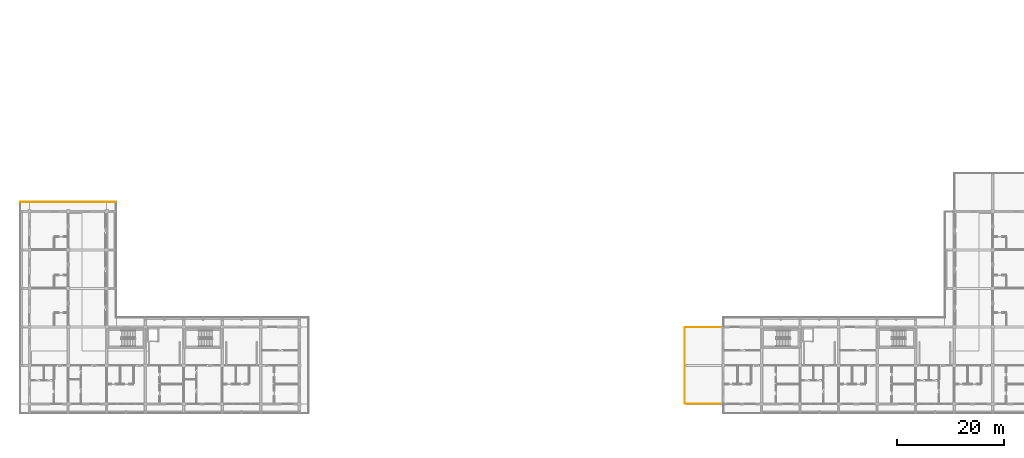
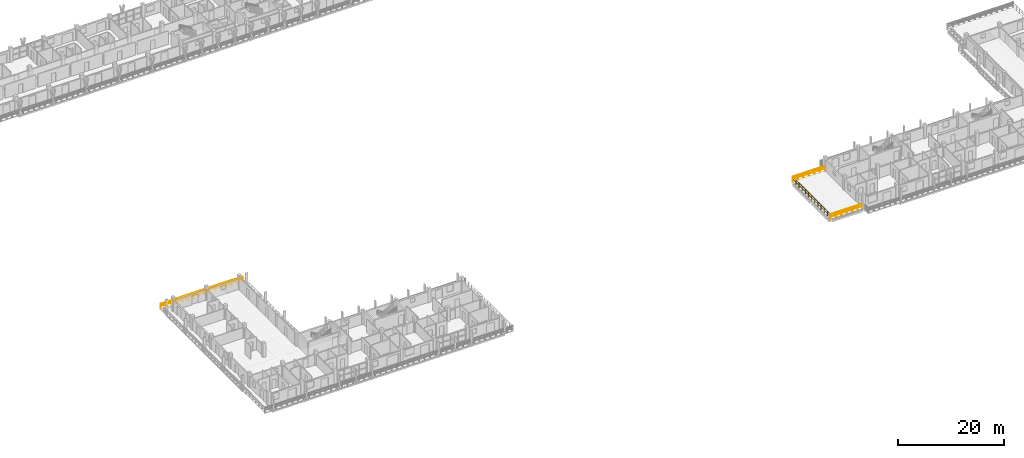
# One storey, part 63 of 75: 4 railings.
"""IFC4 building model written with IfcOpenShell, lengths in metres."""

from ifc_helpers import new_model, si_unit, direction, frame, origin, origin_2d, place, context, subcontext, project, spatial, rectangle, extrude, material, type_object, element, save


model = new_model("IFC4")

# Units and contexts
model_context = context("Model", 3, precision=1e-05, world=origin(), true_north=direction((0.0, 1.0)))
body_context = subcontext(model_context, "Body", "Model", "MODEL_VIEW")
ifc_project = project(units=[si_unit("LENGTHUNIT", "METRE"), si_unit("AREAUNIT", "SQUARE_METRE"), si_unit("VOLUMEUNIT", "CUBIC_METRE"), si_unit("PLANEANGLEUNIT", "RADIAN"), si_unit("MASSUNIT", "GRAM", prefix="KILO")], contexts=[model_context])

# Site, building, storey
site_placement = place(None, origin())
site = spatial("IfcSite", under=ifc_project, at=site_placement, CompositionType="ELEMENT")
building_placement = place(site_placement, origin())
building = spatial("IfcBuilding", under=site, at=building_placement, Name="Suanplinth Sawtooth Commons", CompositionType="ELEMENT")
storey_placement = place(building_placement, frame((0.0, 0.0, 18.60009765625)))
storey = spatial("IfcBuildingStorey", under=building, at=storey_placement, Name="L05", CompositionType="ELEMENT", Elevation=18.60009765625)

# Railings
ifc_material = material(Name="Powder-coated galvanized steel", Category="steel")
railing_type = type_object("IfcRailingType", Name="GR-01", PredefinedType="BALUSTRADE", material=ifc_material)
railing_1_placement = place(storey_placement, frame((129.580078125, 0.06005859375, 0.0)))
element("IfcRailing", 1, at=railing_1_placement, inside=storey, type_object=railing_type, Name="L05 Block C Perimeter Balustrade 2", PredefinedType="BALUSTRADE", context=body_context, shape_type="SweptSolid", body=[
    extrude(rectangle(XDim=0.048095703125, YDim=0.048095703125, at=origin_2d()), frame((0.0, 0.0, 1.09619140625), z_axis=(-1.0, 0.0, 0.0), x_axis=(0.0, -1.0, 0.0)), (0.0, 0.0, 1.0), 7.1201171875),
    extrude(rectangle(XDim=0.03369140625, YDim=0.03369140625, at=origin_2d()), frame((0.0, 0.0, 0.56005859375), z_axis=(-1.0, 0.0, 0.0), x_axis=(0.0, -1.0, 0.0)), (0.0, 0.0, 1.0), 7.1201171875),
    extrude(rectangle(XDim=0.0419921875, YDim=0.0419921875, at=origin_2d()), origin(), (0.0, 0.0, 1.0), 1.072021484375),
    extrude(rectangle(XDim=0.0419921875, YDim=0.0419921875, at=origin_2d()), frame((-1.186767578125, 0.0, 0.0)), (0.0, 0.0, 1.0), 1.072021484375),
    extrude(rectangle(XDim=0.0419921875, YDim=0.0419921875, at=origin_2d()), frame((-2.373291015625, 0.0, 0.0)), (0.0, 0.0, 1.0), 1.072021484375),
    extrude(rectangle(XDim=0.0419921875, YDim=0.0419921875, at=origin_2d()), frame((-3.56005859375, 0.0, 0.0)), (0.0, 0.0, 1.0), 1.072021484375),
    extrude(rectangle(XDim=0.0419921875, YDim=0.0419921875, at=origin_2d()), frame((-4.746826171875, 0.0, 0.0)), (0.0, 0.0, 1.0), 1.072021484375),
    extrude(rectangle(XDim=0.0419921875, YDim=0.0419921875, at=origin_2d()), frame((-5.933349609375, 0.0, 0.0)), (0.0, 0.0, 1.0), 1.072021484375),
    extrude(rectangle(XDim=0.0419921875, YDim=0.0419921875, at=origin_2d()), frame((-7.1201171875, 0.0, 0.0)), (0.0, 0.0, 1.0), 1.072021484375),
])
railing_2_placement = place(storey_placement, frame((122.4599609375, 0.06005859375, 0.0)))
element("IfcRailing", 2, at=railing_2_placement, inside=storey, type_object=railing_type, Name="L05 Block C Perimeter Balustrade 3", PredefinedType="BALUSTRADE", context=body_context, shape_type="SweptSolid", body=[
    extrude(rectangle(XDim=0.048095703125, YDim=0.048095703125, at=origin_2d()), frame((0.0, 0.0, 1.09619140625), z_axis=(0.0, 1.0, 0.0), x_axis=(-1.0, 0.0, 0.0)), (0.0, 0.0, 1.0), 14.280029296875),
    extrude(rectangle(XDim=0.03369140625, YDim=0.03369140625, at=origin_2d()), frame((0.0, 0.0, 0.56005859375), z_axis=(0.0, 1.0, 0.0), x_axis=(-1.0, 0.0, 0.0)), (0.0, 0.0, 1.0), 14.280029296875),
    extrude(rectangle(XDim=0.0419921875, YDim=0.0419921875, at=origin_2d()), origin(), (0.0, 0.0, 1.0), 1.072021484375),
    extrude(rectangle(XDim=0.0419921875, YDim=0.0419921875, at=origin_2d()), frame((0.0, 1.18994140625, 0.0)), (0.0, 0.0, 1.0), 1.072021484375),
    extrude(rectangle(XDim=0.0419921875, YDim=0.0419921875, at=origin_2d()), frame((0.0, 2.3798828125, 0.0)), (0.0, 0.0, 1.0), 1.072021484375),
    extrude(rectangle(XDim=0.0419921875, YDim=0.0419921875, at=origin_2d()), frame((0.0, 3.570068359375, 0.0)), (0.0, 0.0, 1.0), 1.072021484375),
    extrude(rectangle(XDim=0.0419921875, YDim=0.0419921875, at=origin_2d()), frame((0.0, 4.760009765625, 0.0)), (0.0, 0.0, 1.0), 1.072021484375),
    extrude(rectangle(XDim=0.0419921875, YDim=0.0419921875, at=origin_2d()), frame((0.0, 5.949951171875, 0.0)), (0.0, 0.0, 1.0), 1.072021484375),
    extrude(rectangle(XDim=0.0419921875, YDim=0.0419921875, at=origin_2d()), frame((0.0, 7.14013671875, 0.0)), (0.0, 0.0, 1.0), 1.072021484375),
    extrude(rectangle(XDim=0.0419921875, YDim=0.0419921875, at=origin_2d()), frame((0.0, 8.330078125, 0.0)), (0.0, 0.0, 1.0), 1.072021484375),
    extrude(rectangle(XDim=0.0419921875, YDim=0.0419921875, at=origin_2d()), frame((0.0, 9.52001953125, 0.0)), (0.0, 0.0, 1.0), 1.072021484375),
    extrude(rectangle(XDim=0.0419921875, YDim=0.0419921875, at=origin_2d()), frame((0.0, 10.7099609375, 0.0)), (0.0, 0.0, 1.0), 1.072021484375),
    extrude(rectangle(XDim=0.0419921875, YDim=0.0419921875, at=origin_2d()), frame((0.0, 11.89990234375, 0.0)), (0.0, 0.0, 1.0), 1.072021484375),
    extrude(rectangle(XDim=0.0419921875, YDim=0.0419921875, at=origin_2d()), frame((0.0, 13.090087890625, 0.0)), (0.0, 0.0, 1.0), 1.072021484375),
    extrude(rectangle(XDim=0.0419921875, YDim=0.0419921875, at=origin_2d()), frame((0.0, 14.280029296875, 0.0)), (0.0, 0.0, 1.0), 1.072021484375),
])
railing_3_placement = place(storey_placement, frame((122.4599609375, 14.340087890625, 0.0)))
element("IfcRailing", 3, at=railing_3_placement, inside=storey, type_object=railing_type, Name="L05 Block C Perimeter Balustrade 4", PredefinedType="BALUSTRADE", context=body_context, shape_type="SweptSolid", body=[
    extrude(rectangle(XDim=0.048095703125, YDim=0.048095703125, at=origin_2d()), frame((0.0, 0.0, 1.09619140625), z_axis=(1.0, 0.0, 0.0), x_axis=(0.0, 1.0, 0.0)), (0.0, 0.0, 1.0), 7.1201171875),
    extrude(rectangle(XDim=0.03369140625, YDim=0.03369140625, at=origin_2d()), frame((0.0, 0.0, 0.56005859375), z_axis=(1.0, 0.0, 0.0), x_axis=(0.0, 1.0, 0.0)), (0.0, 0.0, 1.0), 7.1201171875),
    extrude(rectangle(XDim=0.0419921875, YDim=0.0419921875, at=origin_2d()), origin(), (0.0, 0.0, 1.0), 1.072021484375),
    extrude(rectangle(XDim=0.0419921875, YDim=0.0419921875, at=origin_2d()), frame((1.186767578125, 0.0, 0.0)), (0.0, 0.0, 1.0), 1.072021484375),
    extrude(rectangle(XDim=0.0419921875, YDim=0.0419921875, at=origin_2d()), frame((2.373291015625, 0.0, 0.0)), (0.0, 0.0, 1.0), 1.072021484375),
    extrude(rectangle(XDim=0.0419921875, YDim=0.0419921875, at=origin_2d()), frame((3.56005859375, 0.0, 0.0)), (0.0, 0.0, 1.0), 1.072021484375),
    extrude(rectangle(XDim=0.0419921875, YDim=0.0419921875, at=origin_2d()), frame((4.746826171875, 0.0, 0.0)), (0.0, 0.0, 1.0), 1.072021484375),
    extrude(rectangle(XDim=0.0419921875, YDim=0.0419921875, at=origin_2d()), frame((5.933349609375, 0.0, 0.0)), (0.0, 0.0, 1.0), 1.072021484375),
    extrude(rectangle(XDim=0.0419921875, YDim=0.0419921875, at=origin_2d()), frame((7.1201171875, 0.0, 0.0)), (0.0, 0.0, 1.0), 1.072021484375),
])
railing_4_placement = place(storey_placement, frame((-1.739990234375, 37.739990234375, 0.0)))
element("IfcRailing", 4, at=railing_4_placement, inside=storey, type_object=railing_type, Name="L05 Block D Perimeter Balustrade 2", PredefinedType="BALUSTRADE", context=body_context, shape_type="SweptSolid", body=[
    extrude(rectangle(XDim=0.048095703125, YDim=0.048095703125, at=origin_2d()), frame((0.0, 0.0, 1.09619140625), z_axis=(1.0, 0.0, 0.0), x_axis=(0.0, 1.0, 0.0)), (0.0, 0.0, 1.0), 17.8798828125),
    extrude(rectangle(XDim=0.03369140625, YDim=0.03369140625, at=origin_2d()), frame((0.0, 0.0, 0.56005859375), z_axis=(1.0, 0.0, 0.0), x_axis=(0.0, 1.0, 0.0)), (0.0, 0.0, 1.0), 17.8798828125),
    extrude(rectangle(XDim=0.0419921875, YDim=0.0419921875, at=origin_2d()), origin(), (0.0, 0.0, 1.0), 1.072021484375),
    extrude(rectangle(XDim=0.0419921875, YDim=0.0419921875, at=origin_2d()), frame((1.19189453125, 0.0, 0.0)), (0.0, 0.0, 1.0), 1.072021484375),
    extrude(rectangle(XDim=0.0419921875, YDim=0.0419921875, at=origin_2d()), frame((2.384033203125, 0.0, 0.0)), (0.0, 0.0, 1.0), 1.072021484375),
    extrude(rectangle(XDim=0.0419921875, YDim=0.0419921875, at=origin_2d()), frame((3.575927734375, 0.0, 0.0)), (0.0, 0.0, 1.0), 1.072021484375),
    extrude(rectangle(XDim=0.0419921875, YDim=0.0419921875, at=origin_2d()), frame((4.76806640625, 0.0, 0.0)), (0.0, 0.0, 1.0), 1.072021484375),
    extrude(rectangle(XDim=0.0419921875, YDim=0.0419921875, at=origin_2d()), frame((5.9599609375, 0.0, 0.0)), (0.0, 0.0, 1.0), 1.072021484375),
    extrude(rectangle(XDim=0.0419921875, YDim=0.0419921875, at=origin_2d()), frame((7.15185546875, 0.0, 0.0)), (0.0, 0.0, 1.0), 1.072021484375),
    extrude(rectangle(XDim=0.0419921875, YDim=0.0419921875, at=origin_2d()), frame((8.343994140625, 0.0, 0.0)), (0.0, 0.0, 1.0), 1.072021484375),
    extrude(rectangle(XDim=0.0419921875, YDim=0.0419921875, at=origin_2d()), frame((9.535888671875, 0.0, 0.0)), (0.0, 0.0, 1.0), 1.072021484375),
    extrude(rectangle(XDim=0.0419921875, YDim=0.0419921875, at=origin_2d()), frame((10.72802734375, 0.0, 0.0)), (0.0, 0.0, 1.0), 1.072021484375),
    extrude(rectangle(XDim=0.0419921875, YDim=0.0419921875, at=origin_2d()), frame((11.919921875, 0.0, 0.0)), (0.0, 0.0, 1.0), 1.072021484375),
    extrude(rectangle(XDim=0.0419921875, YDim=0.0419921875, at=origin_2d()), frame((13.11181640625, 0.0, 0.0)), (0.0, 0.0, 1.0), 1.072021484375),
    extrude(rectangle(XDim=0.0419921875, YDim=0.0419921875, at=origin_2d()), frame((14.303955078125, 0.0, 0.0)), (0.0, 0.0, 1.0), 1.072021484375),
    extrude(rectangle(XDim=0.0419921875, YDim=0.0419921875, at=origin_2d()), frame((15.495849609375, 0.0, 0.0)), (0.0, 0.0, 1.0), 1.072021484375),
    extrude(rectangle(XDim=0.0419921875, YDim=0.0419921875, at=origin_2d()), frame((16.68798828125, 0.0, 0.0)), (0.0, 0.0, 1.0), 1.072021484375),
    extrude(rectangle(XDim=0.0419921875, YDim=0.0419921875, at=origin_2d()), frame((17.8798828125, 0.0, 0.0)), (0.0, 0.0, 1.0), 1.072021484375),
])

save(model, "model.ifc")
